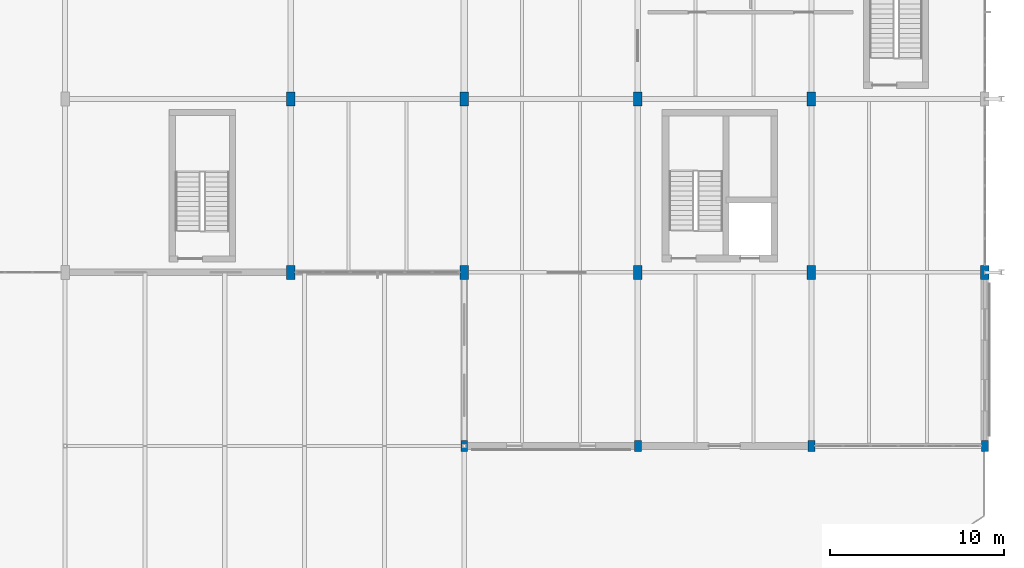
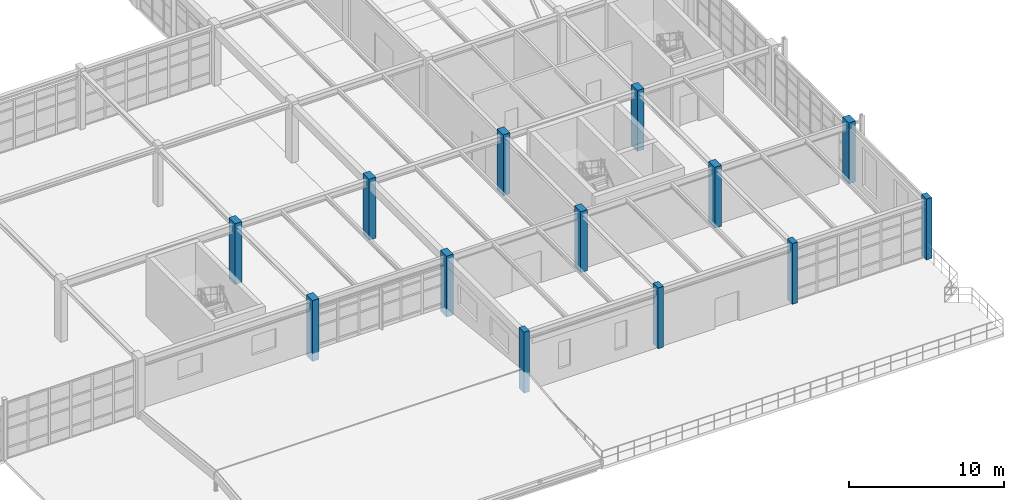
# One storey, part 17 of 139: 13 columns.
"""IFC4 building model written with IfcOpenShell, lengths in metres."""

from ifc_helpers import new_model, si_unit, direction, frame, origin, origin_2d, place, context, subcontext, project, spatial, rectangle, extrude, material, material_profile, profile_set, type_object, element, save


model = new_model("IFC4")

# Units and contexts
model_context = context("Model", 3, precision=1e-05, world=origin(), true_north=direction((0.0, 1.0)))
body_context = subcontext(model_context, "Body", "Model", "MODEL_VIEW")
ifc_project = project(units=[si_unit("LENGTHUNIT", "METRE"), si_unit("AREAUNIT", "SQUARE_METRE"), si_unit("VOLUMEUNIT", "CUBIC_METRE"), si_unit("PLANEANGLEUNIT", "RADIAN"), si_unit("MASSUNIT", "GRAM", prefix="KILO"), si_unit("THERMODYNAMICTEMPERATUREUNIT", "KELVIN"), si_unit("POWERUNIT", "WATT")], contexts=[model_context])

# Site, building, storey
site_placement = place(None, origin())
site = spatial("IfcSite", under=ifc_project, at=site_placement, CompositionType="ELEMENT")
building_placement = place(site_placement, origin())
building = spatial("IfcBuilding", under=site, at=building_placement, Name="Korenveer Ferry Terminal", CompositionType="ELEMENT")
storey_placement = place(building_placement, frame((0.0, 0.0, 5.39990234375)))
storey = spatial("IfcBuildingStorey", under=building, at=storey_placement, Name="L01", CompositionType="ELEMENT", Elevation=5.39990234375)

# Columns
ifc_material = material(Name="Concrete C45/55", Category="concrete")
ifc_material_profile_1 = material_profile(ifc_material, rectangle(XDim=0.39990234375, YDim=0.64990234375, at=origin_2d()), Name="RC 400x650")
ifc_profile_set_1 = profile_set([ifc_material_profile_1], Name="Concrete C45/55")
column_type_1 = type_object("IfcColumnType", Name="STR-COL-RC400X650", PredefinedType="COLUMN", material=ifc_profile_set_1)
for number, where, z_axis, x_axis, name in (
    (1, (146.0, 10.0, 0.0), (0.0, 0.0, 1.0), (1.0, 0.0, 0.0), "Column COL-L01-X146-Y10"),
    (2, (156.0, 10.0, 0.0), (0.0, 0.0, 1.0), (1.0, 0.0, 0.0), "Column COL-L01-X156-Y10"),
    (3, (166.0, 10.0, 0.0), (0.0, 0.0, 1.0), (1.0, 0.0, 0.0), "Column COL-L01-X166-Y10"),
    (4, (176.0, 10.0, 0.0), (0.0, 0.0, 1.0), (1.0, 0.0, 0.0), "Column COL-L01-X176-Y10"),
):
    element("IfcColumn", number, at=place(storey_placement, frame(where, z_axis=z_axis, x_axis=x_axis)), inside=storey, type_object=column_type_1, Name=name, PredefinedType="COLUMN", context=body_context, shape_type="SweptSolid", body=[
        extrude(rectangle(XDim=0.39990234375, YDim=0.64990234375, at=origin_2d()), origin(), (0.0, 0.0, 1.0), 4.800048828125),
    ])
ifc_material_profile_2 = material_profile(ifc_material, rectangle(XDim=0.5, YDim=0.800048828125, at=origin_2d()), Name="RC 500x800")
ifc_profile_set_2 = profile_set([ifc_material_profile_2], Name="Concrete C45/55")
column_type_2 = type_object("IfcColumnType", Name="STR-COL-RC500X800", PredefinedType="COLUMN", material=ifc_profile_set_2)
for number, where, z_axis, x_axis, name in (
    (5, (136.0, 20.0, 0.0), (0.0, 0.0, 1.0), (1.0, 0.0, 0.0), "Column COL-L01-X136-Y20"),
    (6, (136.0, 30.0, 0.0), (0.0, 0.0, 1.0), (1.0, 0.0, 0.0), "Column COL-L01-X136-Y30"),
    (7, (146.0, 20.0, 0.0), (0.0, 0.0, 1.0), (1.0, 0.0, 0.0), "Column COL-L01-X146-Y20"),
    (8, (146.0, 30.0, 0.0), (0.0, 0.0, 1.0), (1.0, 0.0, 0.0), "Column COL-L01-X146-Y30"),
    (9, (156.0, 20.0, 0.0), (0.0, 0.0, 1.0), (1.0, 0.0, 0.0), "Column COL-L01-X156-Y20"),
    (10, (156.0, 30.0, 0.0), (0.0, 0.0, 1.0), (1.0, 0.0, 0.0), "Column COL-L01-X156-Y30"),
    (11, (166.0, 20.0, 0.0), (0.0, 0.0, 1.0), (1.0, 0.0, 0.0), "Column COL-L01-X166-Y20"),
    (12, (166.0, 30.0, 0.0), (0.0, 0.0, 1.0), (1.0, 0.0, 0.0), "Column COL-L01-X166-Y30"),
    (13, (176.0, 20.0, 0.0), (0.0, 0.0, 1.0), (1.0, 0.0, 0.0), "Column COL-L01-X176-Y20"),
):
    element("IfcColumn", number, at=place(storey_placement, frame(where, z_axis=z_axis, x_axis=x_axis)), inside=storey, type_object=column_type_2, Name=name, PredefinedType="COLUMN", context=body_context, shape_type="SweptSolid", body=[
        extrude(rectangle(XDim=0.5, YDim=0.800048828125, at=origin_2d()), origin(), (0.0, 0.0, 1.0), 4.800048828125),
    ])

save(model, "model.ifc")
